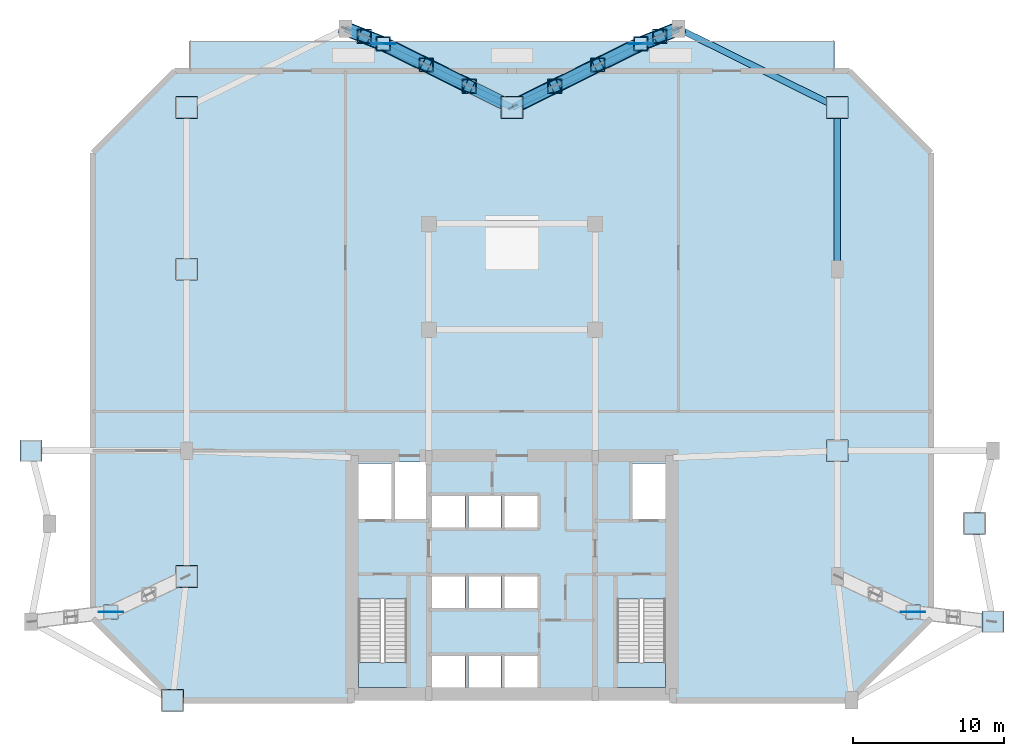
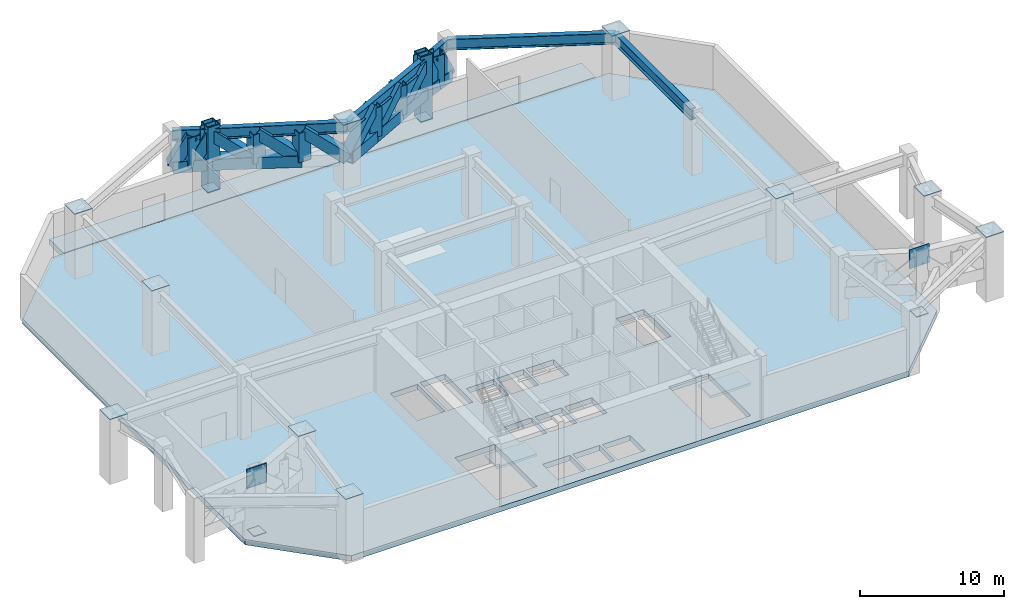
# One storey, part 2 of 9: 27 members, 18 plates, 4 beams, 4 slabs, 2 elements without a shape of their own.
"""IFC4 building model written with IfcOpenShell, lengths in metres."""

from ifc_helpers import new_model, si_unit, direction, frame, origin, origin_2d, place, context, subcontext, project, spatial, polyline, rectangle, hollow_rectangle, i_section, outline, extrude, source, transform, mapped, material, layer, layer_set, material_profile, profile_set, type_object, type_shapes, element, aggregate, save


model = new_model("IFC4")

# Units and contexts
model_context = context("Model", 3, precision=1e-05, world=origin(), true_north=direction((0.0, 1.0)))
body_context = subcontext(model_context, "Body", "Model", "MODEL_VIEW")
ifc_project = project(units=[si_unit("LENGTHUNIT", "METRE"), si_unit("AREAUNIT", "SQUARE_METRE"), si_unit("VOLUMEUNIT", "CUBIC_METRE"), si_unit("PLANEANGLEUNIT", "RADIAN"), si_unit("MASSUNIT", "GRAM", prefix="KILO")], contexts=[model_context])

# Site, building, storey
site_placement = place(None, origin())
site = spatial("IfcSite", under=ifc_project, at=site_placement, CompositionType="ELEMENT")
building_placement = place(site_placement, origin())
building = spatial("IfcBuilding", under=site, at=building_placement, Name="Varnakhor Terracotta Tower", CompositionType="ELEMENT")
storey_placement = place(building_placement, frame((0.0, 0.0, 22.0)))
storey = spatial("IfcBuildingStorey", under=building, at=storey_placement, Name="L04", CompositionType="ELEMENT", Elevation=22.0)

# Beams
ifc_material_1 = material(Name="Steel S355", Category="steel")
ifc_material_profile_1 = material_profile(ifc_material_1, i_section(OverallWidth=0.41796875, OverallDepth=0.927001953125, WebThickness=0.01904296875, FlangeThickness=0.031982421875, FilletRadius=0.01806640625, at=origin_2d()), Name="W36X231")
ifc_profile_set_1 = profile_set([ifc_material_profile_1], Name="Steel S355")
beam_type = type_object("IfcBeamType", Name="BM-W36X231", PredefinedType="BEAM", material=ifc_profile_set_1)
shared_shape_1 = source(origin(), body_context, "Body", "SweptSolid", [
    extrude(i_section(OverallWidth=0.41796875, OverallDepth=0.927001953125, WebThickness=0.01904296875, FlangeThickness=0.031982421875, FilletRadius=0.01806640625, at=origin_2d()), origin(), (0.0, 0.0, 1.0), 10.699951171875),
])
beam_1_placement = place(storey_placement, frame((21.5, 39.199951171875, 4.78662109375), z_axis=(0.0, -1.0, 0.0), x_axis=(1.0, 0.0, 0.0)))
element("IfcBeam", 1, at=beam_1_placement, inside=storey, type_object=beam_type, Name="L04 Podium Ring Girder 9", PredefinedType="BEAM", context=body_context, shape_type="MappedRepresentation", body=[
    mapped(shared_shape_1, transform((0.0, 0.0, 0.0), scale=1.0)),
])
shared_shape_2 = source(origin(), body_context, "Body", "SweptSolid", [
    extrude(i_section(OverallWidth=0.41796875, OverallDepth=0.927001953125, WebThickness=0.01904296875, FlangeThickness=0.031982421875, FilletRadius=0.01806640625, at=origin_2d()), origin(), (0.0, 0.0, 1.0), 12.167236328125),
])
for number, where, z_axis, x_axis, name in (
    (2, (-11.0, 44.39990234375, 4.78662109375), (0.904073817094, -0.427376336787, 0.0), (0.427376336787, 0.904073817094, 0.0), "L04 Podium Ring Girder 6"),
    (3, (0.0, 39.199951171875, 4.78662109375), (0.904073817094, 0.427376336787, 0.0), (-0.427376336787, 0.904073817094, 0.0), "L04 Podium Ring Girder 7"),
):
    element("IfcBeam", number, at=place(storey_placement, frame(where, z_axis=z_axis, x_axis=x_axis)), inside=storey, type_object=beam_type, Name=name, PredefinedType="BEAM", context=body_context, shape_type="MappedRepresentation", body=[
        mapped(shared_shape_2, transform((0.0, 0.0, 0.0), scale=1.0)),
    ])
shared_shape_3 = source(origin(), body_context, "Body", "SweptSolid", [
    extrude(i_section(OverallWidth=0.41796875, OverallDepth=0.927001953125, WebThickness=0.01904296875, FlangeThickness=0.031982421875, FilletRadius=0.01806640625, at=origin_2d()), origin(), (0.0, 0.0, 1.0), 11.717041015625),
])
beam_2_placement = place(storey_placement, frame((11.0, 44.39990234375, 4.78662109375), z_axis=(0.896129243097, -0.443793172171, 0.0), x_axis=(0.443793172171, 0.896129243097, 0.0)))
element("IfcBeam", 4, at=beam_2_placement, inside=storey, type_object=beam_type, Name="L04 Podium Ring Girder 8", PredefinedType="BEAM", context=body_context, shape_type="MappedRepresentation", body=[
    mapped(shared_shape_3, transform((0.0, 0.0, 0.0), scale=1.0)),
])

# Members
ifc_material_2 = material(Name="Steel S460", Category="steel")
ifc_material_profile_2 = material_profile(ifc_material_2, hollow_rectangle(XDim=0.949951171875, YDim=0.949951171875, WallThickness=0.06494140625, at=origin_2d()), Name="HSS950X950X65")
ifc_profile_set_2 = profile_set([ifc_material_profile_2], Name="Steel S460")
member_type_1 = type_object("IfcMemberType", Name="MBR-XFER-CHORD-950", PredefinedType="CHORD", material=ifc_profile_set_2)
shared_shape_4 = source(origin(), body_context, "Body", "SweptSolid", [
    extrude(hollow_rectangle(XDim=0.949951171875, YDim=0.949951171875, WallThickness=0.06494140625, at=origin_2d()), origin(), (0.0, 0.0, 1.0), 5.5),
])
type_shapes(member_type_1, [shared_shape_4])
for number, where, z_axis, x_axis, name in (
    (5, (8.513916015625, 43.406982421875, 0.0), (0.0, 0.0, 1.0), (1.0, 0.0, 0.0), "L04 Transfer Truss Post M5"),
    (6, (-8.513916015625, 43.406982421875, 0.0), (0.0, 0.0, 1.0), (1.0, 0.0, 0.0), "L04 Transfer Truss Post M6"),
):
    element("IfcMember", number, at=place(storey_placement, frame(where, z_axis=z_axis, x_axis=x_axis)), inside=storey, type_object=member_type_1, Name=name, PredefinedType="CHORD", context=body_context, shape_type="MappedRepresentation", body=[
        mapped(shared_shape_4, transform((0.0, 0.0, 0.0), scale=1.0)),
    ])
shared_shape_5 = source(origin(), body_context, "Body", "SweptSolid", [
    extrude(hollow_rectangle(XDim=0.949951171875, YDim=0.949951171875, WallThickness=0.06494140625, at=origin_2d()), origin(), (0.0, 0.0, 1.0), 2.47998046875),
])
for number, where, z_axis, x_axis, name in (
    (7, (2.837890625, 40.602294921875, 2.25), (0.0, 0.0, 1.0), (1.0, 0.0, 0.0), "L04 Transfer Panel Post M5-1P1"),
    (8, (5.676025390625, 42.004638671875, 2.25), (0.0, 0.0, 1.0), (1.0, 0.0, 0.0), "L04 Transfer Panel Post M5-1P2"),
    (9, (9.757080078125, 43.903564453125, 2.25), (0.0, 0.0, 1.0), (1.0, 0.0, 0.0), "L04 Transfer Panel Post M5-2P1"),
    (10, (-9.757080078125, 43.903564453125, 2.25), (0.0, 0.0, 1.0), (1.0, 0.0, 0.0), "L04 Transfer Panel Post M6-1P1"),
    (11, (-2.837890625, 40.602294921875, 2.25), (0.0, 0.0, 1.0), (1.0, 0.0, 0.0), "L04 Transfer Panel Post M6-2P1"),
    (12, (-5.676025390625, 42.004638671875, 2.25), (0.0, 0.0, 1.0), (1.0, 0.0, 0.0), "L04 Transfer Panel Post M6-2P2"),
):
    element("IfcMember", number, at=place(storey_placement, frame(where, z_axis=z_axis, x_axis=x_axis)), inside=storey, type_object=member_type_1, Name=name, PredefinedType="CHORD", context=body_context, shape_type="MappedRepresentation", body=[
        mapped(shared_shape_5, transform((0.0, 0.0, 0.0), scale=1.0)),
    ])
shared_shape_6 = source(origin(), body_context, "Body", "SweptSolid", [
    extrude(hollow_rectangle(XDim=0.949951171875, YDim=0.949951171875, WallThickness=0.06494140625, at=origin_2d()), origin(), (0.0, 0.0, 1.0), 3.16552734375),
])
for number, where, z_axis, x_axis, name in (
    (13, (0.0, 39.199951171875, 2.25), (0.896515183414, 0.443013008735, 0.0), (-0.443013008735, 0.896515183414, 0.0), "L04 Transfer Bottom Chord M5-1P1"),
    (14, (5.676025390625, 42.004638671875, 2.25), (0.896515183414, 0.443013008735, 0.0), (-0.443013008735, 0.896515183414, 0.0), "L04 Transfer Bottom Chord M5-1P3"),
    (15, (-5.676025390625, 42.004638671875, 2.25), (-0.896515183414, 0.443013008735, 0.0), (-0.443013008735, -0.896515183414, 0.0), "L04 Transfer Bottom Chord M6-2P3"),
):
    element("IfcMember", number, at=place(storey_placement, frame(where, z_axis=z_axis, x_axis=x_axis)), inside=storey, type_object=member_type_1, Name=name, PredefinedType="CHORD", context=body_context, shape_type="MappedRepresentation", body=[
        mapped(shared_shape_6, transform((0.0, 0.0, 0.0), scale=1.0)),
    ])
ifc_material_profile_3 = material_profile(ifc_material_2, hollow_rectangle(XDim=0.85009765625, YDim=0.85009765625, WallThickness=0.054931640625, at=origin_2d()), Name="HSS850X850X55")
ifc_profile_set_3 = profile_set([ifc_material_profile_3], Name="Steel S460")
member_type_2 = type_object("IfcMemberType", Name="MBR-XFER-DIAG-850", PredefinedType="BRACE", material=ifc_profile_set_3)
shared_shape_7 = source(origin(), body_context, "Body", "SweptSolid", [
    extrude(hollow_rectangle(XDim=0.85009765625, YDim=0.85009765625, WallThickness=0.054931640625, at=origin_2d()), origin(), (0.0, 0.0, 1.0), 4.021240234375),
])
for number, where, z_axis, x_axis, name in (
    (16, (0.0, 39.199951171875, 2.25), (0.705722567173, 0.348732830853, 0.616717983254), (-0.443013008735, 0.896515183414, 0.0), "L04 Transfer Diagonal M5-1P1"),
    (17, (5.676025390625, 42.004638671875, 2.25), (0.705722567173, 0.348732830853, 0.616717983254), (-0.443013008735, 0.896515183414, 0.0), "L04 Transfer Diagonal M5-1P3"),
    (18, (0.0, 39.199951171875, 2.25), (-0.705722567173, 0.348732830853, 0.616717983254), (-0.443013008735, -0.896515183414, 0.0), "L04 Transfer Diagonal M6-2P1"),
    (19, (-5.676025390625, 42.004638671875, 2.25), (-0.705722567173, 0.348732830853, 0.616717983254), (-0.443013008735, -0.896515183414, 0.0), "L04 Transfer Diagonal M6-2P3"),
):
    element("IfcMember", number, at=place(storey_placement, frame(where, z_axis=z_axis, x_axis=x_axis)), inside=storey, type_object=member_type_2, Name=name, PredefinedType="BRACE", context=body_context, shape_type="MappedRepresentation", body=[
        mapped(shared_shape_7, transform((0.0, 0.0, 0.0), scale=1.0)),
    ])
shared_shape_8 = source(origin(), body_context, "Body", "SweptSolid", [
    extrude(hollow_rectangle(XDim=0.949951171875, YDim=0.949951171875, WallThickness=0.06494140625, at=origin_2d()), origin(), (0.0, 0.0, 1.0), 3.165771484375),
])
for number, where, z_axis, x_axis, name in (
    (20, (2.837890625, 40.602294921875, 2.25), (0.896530318677, 0.442982378536, 0.0), (-0.442982378536, 0.896530318677, 0.0), "L04 Transfer Bottom Chord M5-1P2"),
    (21, (-2.837890625, 40.602294921875, 2.25), (-0.896530318677, 0.442982378536, 0.0), (-0.442982378536, -0.896530318677, 0.0), "L04 Transfer Bottom Chord M6-2P2"),
):
    element("IfcMember", number, at=place(storey_placement, frame(where, z_axis=z_axis, x_axis=x_axis)), inside=storey, type_object=member_type_1, Name=name, PredefinedType="CHORD", context=body_context, shape_type="MappedRepresentation", body=[
        mapped(shared_shape_8, transform((0.0, 0.0, 0.0), scale=1.0)),
    ])
shared_shape_9 = source(origin(), body_context, "Body", "SweptSolid", [
    extrude(hollow_rectangle(XDim=0.85009765625, YDim=0.85009765625, WallThickness=0.054931640625, at=origin_2d()), origin(), (0.0, 0.0, 1.0), 4.021484375),
])
for number, where, z_axis, x_axis, name in (
    (22, (2.837890625, 40.602294921875, 2.25), (0.705753040217, 0.348717889291, 0.616691559787), (-0.442982378536, 0.896530318677, 0.0), "L04 Transfer Diagonal M5-1P2"),
    (23, (-2.837890625, 40.602294921875, 2.25), (-0.705753040217, 0.348717889291, 0.616691559787), (-0.442982378536, -0.896530318677, 0.0), "L04 Transfer Diagonal M6-2P2"),
):
    element("IfcMember", number, at=place(storey_placement, frame(where, z_axis=z_axis, x_axis=x_axis)), inside=storey, type_object=member_type_2, Name=name, PredefinedType="BRACE", context=body_context, shape_type="MappedRepresentation", body=[
        mapped(shared_shape_9, transform((0.0, 0.0, 0.0), scale=1.0)),
    ])
shared_shape_10 = source(origin(), body_context, "Body", "SweptSolid", [
    extrude(hollow_rectangle(XDim=0.949951171875, YDim=0.949951171875, WallThickness=0.06494140625, at=origin_2d()), origin(), (0.0, 0.0, 1.0), 1.33837890625),
])
for number, where, z_axis, x_axis, name in (
    (24, (11.0, 44.39990234375, 2.25), (-0.928690406401, -0.370855941114, 0.0), (0.370855941114, -0.928690406401, 0.0), "L04 Transfer Bottom Chord M5-2P1"),
    (25, (-11.0, 44.39990234375, 2.25), (0.928690406401, -0.370855941114, 0.0), (0.370855941114, 0.928690406401, 0.0), "L04 Transfer Bottom Chord M6-1P1"),
):
    element("IfcMember", number, at=place(storey_placement, frame(where, z_axis=z_axis, x_axis=x_axis)), inside=storey, type_object=member_type_1, Name=name, PredefinedType="CHORD", context=body_context, shape_type="MappedRepresentation", body=[
        mapped(shared_shape_10, transform((0.0, 0.0, 0.0), scale=1.0)),
    ])
shared_shape_11 = source(origin(), body_context, "Body", "SweptSolid", [
    extrude(hollow_rectangle(XDim=0.85009765625, YDim=0.85009765625, WallThickness=0.054931640625, at=origin_2d()), origin(), (0.0, 0.0, 1.0), 2.818115234375),
])
for number, where, z_axis, x_axis, name in (
    (26, (11.0, 44.39990234375, 2.25), (-0.441053994544, -0.176127042017, 0.88002877167), (0.370855941114, -0.928690406401, 0.0), "L04 Transfer Diagonal M5-2P1"),
    (27, (9.757080078125, 43.903564453125, 2.25), (-0.44111703988, -0.176204253558, 0.879981714671), (0.370950419486, -0.928652672576, 0.0), "L04 Transfer Diagonal M5-2P2"),
    (28, (-11.0, 44.39990234375, 2.25), (0.441053994544, -0.176127042017, 0.88002877167), (0.370855941114, 0.928690406401, 0.0), "L04 Transfer Diagonal M6-1P1"),
    (29, (-9.757080078125, 43.903564453125, 2.25), (0.44111703988, -0.176204253558, 0.879981714671), (0.370950419486, 0.928652672576, 0.0), "L04 Transfer Diagonal M6-1P2"),
):
    element("IfcMember", number, at=place(storey_placement, frame(where, z_axis=z_axis, x_axis=x_axis)), inside=storey, type_object=member_type_2, Name=name, PredefinedType="BRACE", context=body_context, shape_type="MappedRepresentation", body=[
        mapped(shared_shape_11, transform((0.0, 0.0, 0.0), scale=1.0)),
    ])
shared_shape_12 = source(origin(), body_context, "Body", "SweptSolid", [
    extrude(hollow_rectangle(XDim=0.949951171875, YDim=0.949951171875, WallThickness=0.06494140625, at=origin_2d()), origin(), (0.0, 0.0, 1.0), 1.338623046875),
])
for number, where, z_axis, x_axis, name in (
    (30, (9.757080078125, 43.903564453125, 2.25), (-0.928652672576, -0.370950419486, 0.0), (0.370950419486, -0.928652672576, 0.0), "L04 Transfer Bottom Chord M5-2P2"),
    (31, (-9.757080078125, 43.903564453125, 2.25), (0.928652672576, -0.370950419486, 0.0), (0.370950419486, 0.928652672576, 0.0), "L04 Transfer Bottom Chord M6-1P2"),
):
    element("IfcMember", number, at=place(storey_placement, frame(where, z_axis=z_axis, x_axis=x_axis)), inside=storey, type_object=member_type_1, Name=name, PredefinedType="CHORD", context=body_context, shape_type="MappedRepresentation", body=[
        mapped(shared_shape_12, transform((0.0, 0.0, 0.0), scale=1.0)),
    ])

# Stair, slab
ifc_material_3 = material(Name="Concrete C40/50", Category="concrete")
stair_type = type_object("IfcStairType", Name="STR-CORE-OFFICE-1500", PredefinedType="HALF_TURN_STAIR", material=ifc_material_3)
stair_1_placement = place(storey_placement, origin())
stair_1 = element("IfcStair", 32, at=stair_1_placement, inside=storey, type_object=stair_type, Name="L04 Core Exit Stair ST-1", PredefinedType="HALF_TURN_STAIR")
ifc_layer_1 = layer(ifc_material_3, 0.179931640625, Name="Concrete C40/50")
ifc_layer_set_1 = layer_set([ifc_layer_1], Name="Concrete C40/50")
slab_type_1 = type_object("IfcSlabType", Name="SLB-LANDING-180", PredefinedType="LANDING", material=ifc_layer_set_1)
slab_1_placement = place(storey_placement, frame((0.0, 0.0, 2.550048828125)))
slab_1 = element("IfcSlab", 33, at=slab_1_placement, type_object=slab_type_1, Name="ST-1 landing 1", PredefinedType="LANDING", context=body_context, shape_type="SweptSolid", body=[
    extrude(outline(polyline([(-10.14990234375, 2.510009765625), (-10.14990234375, 0.85009765625), (-6.949951171875, 0.85009765625), (-6.949951171875, 2.510009765625), (-10.14990234375, 2.510009765625)])), origin(), (0.0, 0.0, 1.0), 0.199951171875),
])
aggregate(stair_1, [slab_1])

stair_2_placement = place(storey_placement, origin())
stair_2 = element("IfcStair", 34, at=stair_2_placement, inside=storey, type_object=stair_type, Name="L04 Core Exit Stair ST-2", PredefinedType="HALF_TURN_STAIR")
slab_2_placement = place(storey_placement, frame((0.0, 0.0, 2.550048828125)))
slab_2 = element("IfcSlab", 35, at=slab_2_placement, type_object=slab_type_1, Name="ST-2 landing 1", PredefinedType="LANDING", context=body_context, shape_type="SweptSolid", body=[
    extrude(outline(polyline([(6.949951171875, 2.510009765625), (6.949951171875, 0.85009765625), (10.14990234375, 0.85009765625), (10.14990234375, 2.510009765625), (6.949951171875, 2.510009765625)])), origin(), (0.0, 0.0, 1.0), 0.199951171875),
])
aggregate(stair_2, [slab_2])

# Slabs
ifc_layer_2 = layer(ifc_material_3, 0.340087890625, Name="Concrete C40/50")
ifc_layer_set_2 = layer_set([ifc_layer_2], Name="Concrete C40/50")
slab_type_2 = type_object("IfcSlabType", Name="SLB-TERR-EXT-340", PredefinedType="FLOOR", material=ifc_layer_set_2)
slab_3_placement = place(storey_placement, frame((0.0, 0.0, -0.449951171875)))
element("IfcSlab", 36, at=slab_3_placement, inside=storey, type_object=slab_type_2, Name="L04 Cascading Garden Terrace Slab", PredefinedType="FLOOR", context=body_context, shape_type="SweptSolid", body=[
    extrude(outline(polyline([(-21.300048828125, 43.60009765625), (21.300048828125, 43.60009765625), (21.300048828125, 41.639892578125), (-21.300048828125, 41.639892578125), (-21.300048828125, 43.60009765625)])), origin(), (0.0, 0.0, 1.0), 0.449951171875),
])
ifc_material_4 = material(Name="Concrete C50/60", Category="concrete")
ifc_layer_3 = layer(ifc_material_4, 0.449951171875, Name="Concrete C50/60")
ifc_layer_set_3 = layer_set([ifc_layer_3], Name="Concrete C50/60")
slab_type_3 = type_object("IfcSlabType", Name="SLB-XFER-450", PredefinedType="FLOOR", material=ifc_layer_set_3)
slab_4_placement = place(storey_placement, frame((0.0, 0.0, -0.449951171875)))
element("IfcSlab", 37, at=slab_4_placement, inside=storey, type_object=slab_type_3, Name="L04 Structural Floor Slab", PredefinedType="FLOOR", context=body_context, shape_type="SweptSolid", body=[
    extrude(outline(polyline([(-27.699951171875, 5.39990234375), (-27.699951171875, 36.199951171875), (-22.300048828125, 41.60009765625), (22.300048828125, 41.60009765625), (27.699951171875, 36.199951171875), (27.699951171875, 5.39990234375), (22.300048828125, 0.0), (-22.300048828125, 0.0), (-27.699951171875, 5.39990234375)]), holes=[polyline([(-3.10009765625, 0.85009765625), (-3.10009765625, 2.949951171875), (-5.300048828125, 2.949951171875), (-5.300048828125, 0.85009765625), (-3.10009765625, 0.85009765625)]), polyline([(-2.8798828125, 0.85009765625), (-0.719970703125, 0.85009765625), (-0.719970703125, 2.949951171875), (-2.8798828125, 2.949951171875), (-2.8798828125, 0.85009765625)]), polyline([(-10.14990234375, 0.85009765625), (-6.949951171875, 0.85009765625), (-6.949951171875, 6.695068359375), (-10.14990234375, 6.695068359375), (-10.14990234375, 0.85009765625)]), polyline([(-5.300048828125, 6.10009765625), (-3.10009765625, 6.10009765625), (-3.10009765625, 8.199951171875), (-5.300048828125, 8.199951171875), (-5.300048828125, 6.10009765625)]), polyline([(-5.300048828125, 11.419921875), (-3.10009765625, 11.419921875), (-3.10009765625, 13.52001953125), (-5.300048828125, 13.52001953125), (-5.300048828125, 11.419921875)]), polyline([(-10.14990234375, 11.8798828125), (-7.949951171875, 11.8798828125), (-7.949951171875, 15.64990234375), (-10.14990234375, 15.64990234375), (-10.14990234375, 11.8798828125)]), polyline([(-7.72998046875, 11.8798828125), (-5.699951171875, 11.8798828125), (-5.699951171875, 15.75), (-7.72998046875, 15.75), (-7.72998046875, 11.8798828125)]), polyline([(1.699951171875, 0.85009765625), (1.699951171875, 2.949951171875), (-0.5, 2.949951171875), (-0.5, 0.85009765625), (1.699951171875, 0.85009765625)]), polyline([(6.949951171875, 0.85009765625), (10.14990234375, 0.85009765625), (10.14990234375, 6.695068359375), (6.949951171875, 6.695068359375), (6.949951171875, 0.85009765625)]), polyline([(-2.8798828125, 6.10009765625), (-0.719970703125, 6.10009765625), (-0.719970703125, 8.199951171875), (-2.8798828125, 8.199951171875), (-2.8798828125, 6.10009765625)]), polyline([(-0.5, 6.10009765625), (1.699951171875, 6.10009765625), (1.699951171875, 8.199951171875), (-0.5, 8.199951171875), (-0.5, 6.10009765625)]), polyline([(-2.8798828125, 11.419921875), (-0.719970703125, 11.419921875), (-0.719970703125, 13.52001953125), (-2.8798828125, 13.52001953125), (-2.8798828125, 11.419921875)]), polyline([(-0.5, 11.419921875), (1.699951171875, 11.419921875), (1.699951171875, 13.52001953125), (-0.5, 13.52001953125), (-0.5, 11.419921875)]), polyline([(7.949951171875, 11.8798828125), (10.14990234375, 11.8798828125), (10.14990234375, 15.64990234375), (7.949951171875, 15.64990234375), (7.949951171875, 11.8798828125)])]), origin(), (0.0, 0.0, 1.0), 0.449951171875),
])

# Plates
ifc_layer_4 = layer(ifc_material_1, 0.0400390625, Name="Steel S355")
ifc_layer_set_4 = layer_set([ifc_layer_4], Name="Steel S355")
plate_type_1 = type_object("IfcPlateType", Name="PLT-CAP-40", PredefinedType="USERDEFINED", material=ifc_layer_set_4)
shared_shape_13 = source(origin(), body_context, "Body", "SweptSolid", [
    extrude(rectangle(XDim=1.43994140625, YDim=1.43994140625, at=origin_2d()), origin(), (0.0, 0.0, 1.0), 0.0439453125),
])
type_shapes(plate_type_1, [shared_shape_13])
for number, where, z_axis, x_axis, name in (
    (38, (-22.446044921875, 0.0, 5.47607421875), (0.0, 0.0, 1.0), (1.0, 0.0, 0.0), "L04 Podium Column PC01 Top Cap Plate"),
    (39, (-21.5, 8.199951171875, 5.5), (0.0, 0.0, 1.0), (1.0, 0.0, 0.0), "L04 Podium Column PC03 Top Cap Plate"),
    (40, (-31.800048828125, 16.5, 5.5), (0.0, 0.0, 1.0), (1.0, 0.0, 0.0), "L04 Podium Column PC05 Top Cap Plate"),
    (41, (-21.5, 28.5, 5.5), (0.0, 0.0, 1.0), (1.0, 0.0, 0.0), "L04 Podium Column PC07 Top Cap Plate"),
    (42, (-21.5, 39.199951171875, 5.5), (0.0, 0.0, 1.0), (1.0, 0.0, 0.0), "L04 Podium Column PC09 Top Cap Plate"),
    (43, (0.0, 39.199951171875, 5.5), (0.0, 0.0, 1.0), (1.0, 0.0, 0.0), "L04 Podium Column PC11 Top Cap Plate"),
    (44, (21.5, 39.199951171875, 5.5), (0.0, 0.0, 1.0), (1.0, 0.0, 0.0), "L04 Podium Column PC13 Top Cap Plate"),
    (45, (21.5, 16.5, 5.5), (0.0, 0.0, 1.0), (1.0, 0.0, 0.0), "L04 Podium Column PC15 Top Cap Plate"),
    (46, (31.800048828125, 5.199951171875, 5.5), (0.0, 0.0, 1.0), (1.0, 0.0, 0.0), "L04 Podium Column PC17 Top Cap Plate"),
    (47, (30.572998046875, 11.68701171875, 5.47607421875), (0.0, 0.0, 1.0), (1.0, 0.0, 0.0), "L04 Podium Column PC23 Top Cap Plate"),
):
    element("IfcPlate", number, at=place(storey_placement, frame(where, z_axis=z_axis, x_axis=x_axis)), inside=storey, type_object=plate_type_1, Name=name, ObjectType="CAP PLATE", PredefinedType="USERDEFINED", context=body_context, shape_type="MappedRepresentation", body=[
        mapped(shared_shape_13, transform((0.0, 0.0, 0.0), scale=1.0)),
    ])
ifc_layer_5 = layer(ifc_material_2, 0.06005859375, Name="Steel S460")
ifc_layer_set_5 = layer_set([ifc_layer_5], Name="Steel S460")
plate_type_2 = type_object("IfcPlateType", Name="PLT-GUSSET-60", PredefinedType="USERDEFINED", material=ifc_layer_set_5)
shared_shape_14 = source(origin(), body_context, "Body", "SweptSolid", [
    extrude(rectangle(XDim=1.60009765625, YDim=0.06005859375, at=origin_2d()), origin(), (0.0, 0.0, 1.0), 1.60009765625),
])
type_shapes(plate_type_2, [shared_shape_14])
for number, where, z_axis, x_axis, name in (
    (48, (26.509521484375, 5.84326171875, 3.929931640625), (0.0, 0.0, 1.0), (1.0, 0.0, 0.0), "L04 Transfer Gusset Node M3"),
    (49, (8.513916015625, 43.406982421875, 3.929931640625), (0.0, 0.0, 1.0), (1.0, 0.0, 0.0), "L04 Transfer Gusset Node M5"),
    (50, (-8.513916015625, 43.406982421875, 3.929931640625), (0.0, 0.0, 1.0), (1.0, 0.0, 0.0), "L04 Transfer Gusset Node M6"),
    (51, (-26.509521484375, 5.84326171875, 3.929931640625), (0.0, 0.0, 1.0), (1.0, 0.0, 0.0), "L04 Transfer Gusset Node M8"),
):
    element("IfcPlate", number, at=place(storey_placement, frame(where, z_axis=z_axis, x_axis=x_axis)), inside=storey, type_object=plate_type_2, Name=name, ObjectType="GUSSET PLATE", PredefinedType="USERDEFINED", context=body_context, shape_type="MappedRepresentation", body=[
        mapped(shared_shape_14, transform((0.0, 0.0, 0.0), scale=1.0)),
    ])
shared_shape_15 = source(origin(), body_context, "Body", "SweptSolid", [
    extrude(rectangle(XDim=0.949951171875, YDim=0.949951171875, at=origin_2d()), origin(), (0.0, 0.0, 1.0), 0.0400390625),
])
for number, where, z_axis, x_axis, name in (
    (52, (26.509521484375, 5.84326171875, 0.0), (0.0, 0.0, 1.0), (1.0, 0.0, 0.0), "L04 Transfer Post Cap Plate M3"),
    (53, (8.513916015625, 43.406982421875, 0.0), (0.0, 0.0, 1.0), (1.0, 0.0, 0.0), "L04 Transfer Post Cap Plate M5"),
    (54, (-8.513916015625, 43.406982421875, 0.0), (0.0, 0.0, 1.0), (1.0, 0.0, 0.0), "L04 Transfer Post Cap Plate M6"),
    (55, (-26.509521484375, 5.84326171875, 0.0), (0.0, 0.0, 1.0), (1.0, 0.0, 0.0), "L04 Transfer Post Cap Plate M8"),
):
    element("IfcPlate", number, at=place(storey_placement, frame(where, z_axis=z_axis, x_axis=x_axis)), inside=storey, type_object=plate_type_1, Name=name, ObjectType="CAP PLATE", PredefinedType="USERDEFINED", context=body_context, shape_type="MappedRepresentation", body=[
        mapped(shared_shape_15, transform((0.0, 0.0, 0.0), scale=1.0)),
    ])

save(model, "model.ifc")
